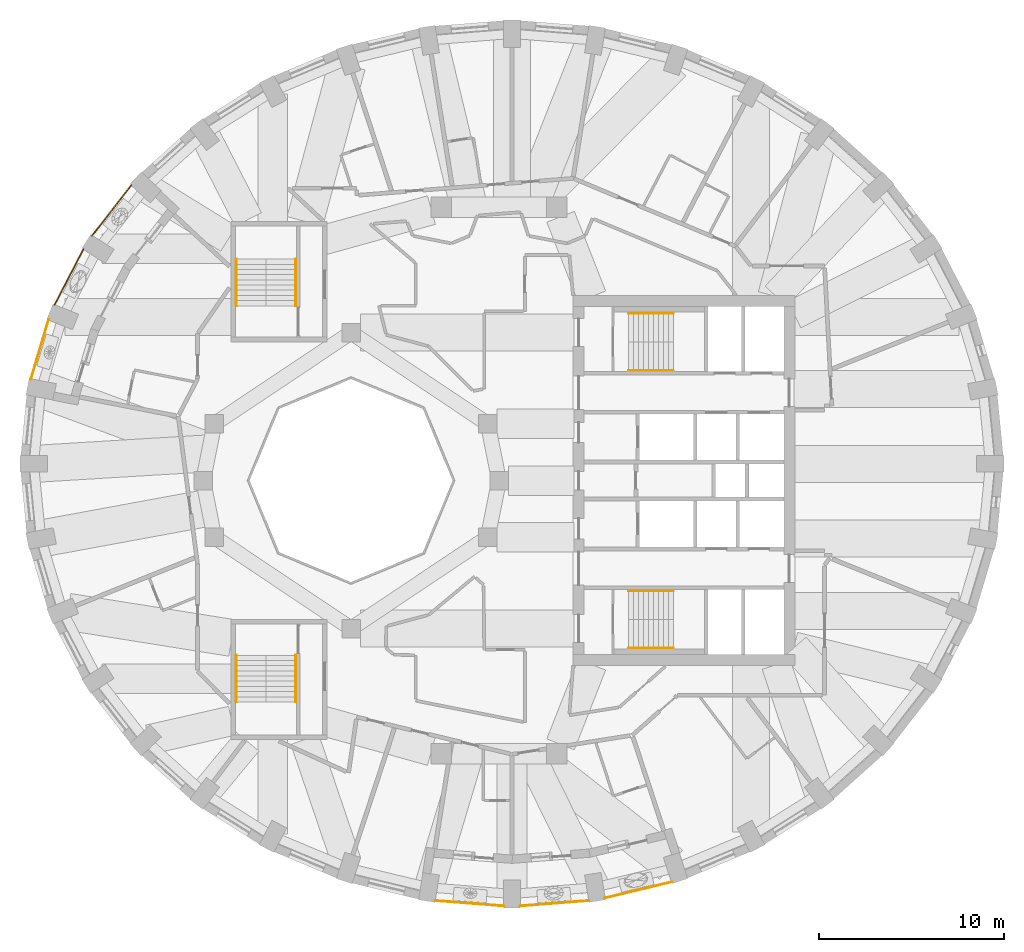
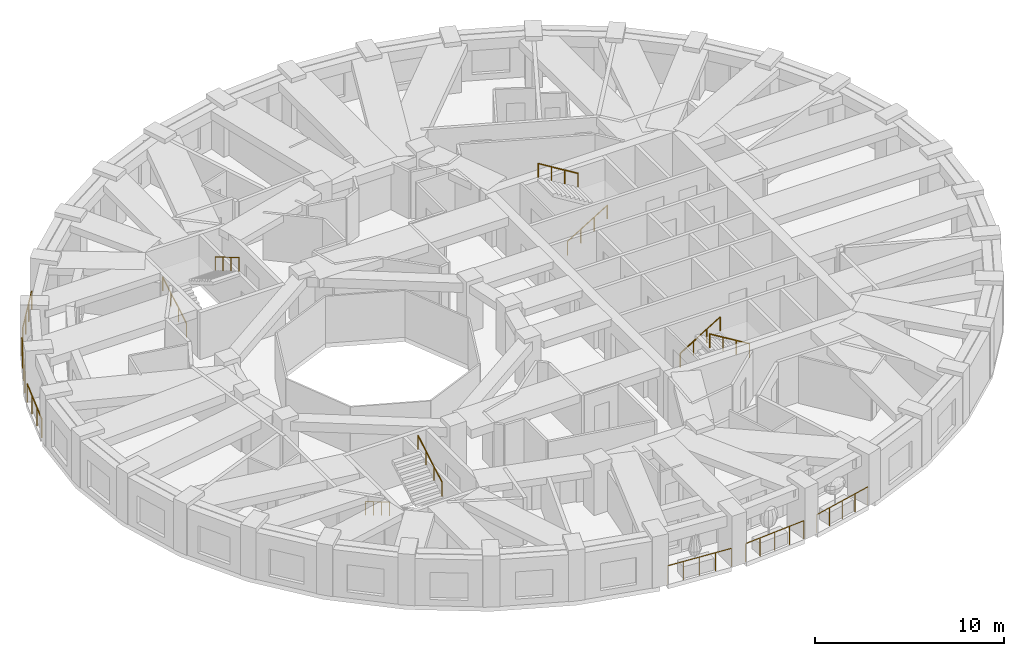
# One storey, part 10 of 12: 14 railings.
"""IFC4 building model written with IfcOpenShell, lengths in metres."""

from ifc_helpers import new_model, si_unit, direction, frame, origin, origin_2d, place, context, subcontext, project, spatial, circle, extrude, material, type_object, element, save


model = new_model("IFC4")

# Units and contexts
model_context = context("Model", 3, precision=1e-05, world=origin(), true_north=direction((0.0, 1.0)))
body_context = subcontext(model_context, "Body", "Model", "MODEL_VIEW")
ifc_project = project(units=[si_unit("LENGTHUNIT", "METRE"), si_unit("AREAUNIT", "SQUARE_METRE"), si_unit("VOLUMEUNIT", "CUBIC_METRE"), si_unit("PLANEANGLEUNIT", "RADIAN"), si_unit("MASSUNIT", "GRAM", prefix="KILO")], contexts=[model_context])

# Site, building, storey
site_placement = place(None, origin())
site = spatial("IfcSite", under=ifc_project, at=site_placement, CompositionType="ELEMENT")
building_placement = place(site_placement, origin())
building = spatial("IfcBuilding", under=site, at=building_placement, Name="Taillehof Tower", CompositionType="ELEMENT")
storey_placement = place(building_placement, frame((0.0, 0.0, 205.699951171875)))
storey = spatial("IfcBuildingStorey", under=building, at=storey_placement, Name="L58", CompositionType="ELEMENT", Elevation=205.699951171875)

# Railings
ifc_material_1 = material(Name="Stainless steel balustrade", Category="steel")
railing_type_1 = type_object("IfcRailingType", Name="Balcony guard 1200", PredefinedType="GUARDRAIL", material=ifc_material_1)
railing_1_placement = place(storey_placement, frame((-19.87255859375, 15.973876953125, 0.0)))
element("IfcRailing", 1, at=railing_1_placement, inside=storey, type_object=railing_type_1, Name="Balcony guard L58 bay 15", PredefinedType="GUARDRAIL", context=body_context, shape_type="SweptSolid", body=[
    extrude(circle(Radius=0.02392578125, at=origin_2d()), frame((0.0, 0.0, 1.17578125), z_axis=(-0.614233032347, -0.789124693552, 0.0), x_axis=(0.789124693552, -0.614233032347, 0.0)), (0.0, 0.0, 1.0), 3.467529296875),
    extrude(circle(Radius=0.02099609375, at=origin_2d()), origin(), (0.0, 0.0, 1.0), 1.15185546875),
    extrude(circle(Radius=0.02099609375, at=origin_2d()), frame((-0.7099609375, -0.912109375, 0.0)), (0.0, 0.0, 1.0), 1.15185546875),
    extrude(circle(Radius=0.02099609375, at=origin_2d()), frame((-1.419921875, -1.82421875, 0.0)), (0.0, 0.0, 1.0), 1.15185546875),
    extrude(circle(Radius=0.02099609375, at=origin_2d()), frame((-2.1298828125, -2.736328125, 0.0)), (0.0, 0.0, 1.0), 1.15185546875),
])
railing_2_placement = place(storey_placement, frame((-22.466552734375, 12.513427734375, 0.0)))
element("IfcRailing", 2, at=railing_2_placement, inside=storey, type_object=railing_type_1, Name="Balcony guard L58 bay 16", PredefinedType="GUARDRAIL", context=body_context, shape_type="SweptSolid", body=[
    extrude(circle(Radius=0.02392578125, at=origin_2d()), frame((0.0, 0.0, 1.17578125), z_axis=(-0.460229168419, -0.88780015349, 0.0), x_axis=(0.88780015349, -0.460229168419, 0.0)), (0.0, 0.0, 1.0), 3.4013671875),
    extrude(circle(Radius=0.02099609375, at=origin_2d()), origin(), (0.0, 0.0, 1.0), 1.15185546875),
    extrude(circle(Radius=0.02099609375, at=origin_2d()), frame((-0.521728515625, -1.006591796875, 0.0)), (0.0, 0.0, 1.0), 1.15185546875),
    extrude(circle(Radius=0.02099609375, at=origin_2d()), frame((-1.043701171875, -2.01318359375, 0.0)), (0.0, 0.0, 1.0), 1.15185546875),
    extrude(circle(Radius=0.02099609375, at=origin_2d()), frame((-1.5654296875, -3.019775390625, 0.0)), (0.0, 0.0, 1.0), 1.15185546875),
])
railing_3_placement = place(storey_placement, frame((-24.35400390625, 8.696044921875, 0.0)))
element("IfcRailing", 3, at=railing_3_placement, inside=storey, type_object=railing_type_1, Name="Balcony guard L58 bay 17", PredefinedType="GUARDRAIL", context=body_context, shape_type="SweptSolid", body=[
    extrude(circle(Radius=0.02392578125, at=origin_2d()), frame((0.0, 0.0, 1.17578125), z_axis=(-0.28544954127, -0.958393739227, 0.0), x_axis=(0.958393739227, -0.28544954127, 0.0)), (0.0, 0.0, 1.0), 3.351806640625),
    extrude(circle(Radius=0.02099609375, at=origin_2d()), origin(), (0.0, 0.0, 1.0), 1.15185546875),
    extrude(circle(Radius=0.02099609375, at=origin_2d()), frame((-0.31884765625, -1.07080078125, 0.0)), (0.0, 0.0, 1.0), 1.15185546875),
    extrude(circle(Radius=0.02099609375, at=origin_2d()), frame((-0.637939453125, -2.1416015625, 0.0)), (0.0, 0.0, 1.0), 1.15185546875),
    extrude(circle(Radius=0.02099609375, at=origin_2d()), frame((-0.956787109375, -3.21240234375, 0.0)), (0.0, 0.0, 1.0), 1.15185546875),
])
railing_4_placement = place(storey_placement, frame((-3.467041015625, -22.7119140625, 0.0)))
element("IfcRailing", 4, at=railing_4_placement, inside=storey, type_object=railing_type_1, Name="Balcony guard L58 bay 27", PredefinedType="GUARDRAIL", context=body_context, shape_type="SweptSolid", body=[
    extrude(circle(Radius=0.02392578125, at=origin_2d()), frame((0.0, 0.0, 1.17578125), z_axis=(0.996920832567, -0.078414626146, 0.0), x_axis=(0.078414626146, 0.996920832567, 0.0)), (0.0, 0.0, 1.0), 3.74853515625),
    extrude(circle(Radius=0.02099609375, at=origin_2d()), origin(), (0.0, 0.0, 1.0), 1.15185546875),
    extrude(circle(Radius=0.02099609375, at=origin_2d()), frame((0.934326171875, -0.073486328125, 0.0)), (0.0, 0.0, 1.0), 1.15185546875),
    extrude(circle(Radius=0.02099609375, at=origin_2d()), frame((1.86865234375, -0.14697265625, 0.0)), (0.0, 0.0, 1.0), 1.15185546875),
    extrude(circle(Radius=0.02099609375, at=origin_2d()), frame((2.802734375, -0.220458984375, 0.0)), (0.0, 0.0, 1.0), 1.15185546875),
    extrude(circle(Radius=0.02099609375, at=origin_2d()), frame((3.737060546875, -0.2939453125, 0.0)), (0.0, 0.0, 1.0), 1.15185546875),
])
railing_5_placement = place(storey_placement, frame((1.130126953125, -23.005859375, 0.0)))
element("IfcRailing", 5, at=railing_5_placement, inside=storey, type_object=railing_type_1, Name="Balcony guard L58 bay 28", PredefinedType="GUARDRAIL", context=body_context, shape_type="SweptSolid", body=[
    extrude(circle(Radius=0.02392578125, at=origin_2d()), frame((0.0, 0.0, 1.17578125), z_axis=(0.996920832567, 0.078414626146, 0.0), x_axis=(-0.078414626146, 0.996920832567, 0.0)), (0.0, 0.0, 1.0), 3.74853515625),
    extrude(circle(Radius=0.02099609375, at=origin_2d()), origin(), (0.0, 0.0, 1.0), 1.15185546875),
    extrude(circle(Radius=0.02099609375, at=origin_2d()), frame((0.934326171875, 0.073486328125, 0.0)), (0.0, 0.0, 1.0), 1.15185546875),
    extrude(circle(Radius=0.02099609375, at=origin_2d()), frame((1.86865234375, 0.14697265625, 0.0)), (0.0, 0.0, 1.0), 1.15185546875),
    extrude(circle(Radius=0.02099609375, at=origin_2d()), frame((2.802734375, 0.220458984375, 0.0)), (0.0, 0.0, 1.0), 1.15185546875),
    extrude(circle(Radius=0.02099609375, at=origin_2d()), frame((3.737060546875, 0.2939453125, 0.0)), (0.0, 0.0, 1.0), 1.15185546875),
])
railing_6_placement = place(storey_placement, frame((5.716552734375, -22.576904296875, 0.0)))
element("IfcRailing", 6, at=railing_6_placement, inside=storey, type_object=railing_type_1, Name="Balcony guard L58 bay 29", PredefinedType="GUARDRAIL", context=body_context, shape_type="SweptSolid", body=[
    extrude(circle(Radius=0.02392578125, at=origin_2d()), frame((0.0, 0.0, 1.17578125), z_axis=(0.972163104093, 0.234305140875, 0.0), x_axis=(-0.234305140875, 0.972163104093, 0.0)), (0.0, 0.0, 1.0), 3.72412109375),
    extrude(circle(Radius=0.02099609375, at=origin_2d()), origin(), (0.0, 0.0, 1.0), 1.15185546875),
    extrude(circle(Radius=0.02099609375, at=origin_2d()), frame((0.905029296875, 0.21826171875, 0.0)), (0.0, 0.0, 1.0), 1.15185546875),
    extrude(circle(Radius=0.02099609375, at=origin_2d()), frame((1.81005859375, 0.436279296875, 0.0)), (0.0, 0.0, 1.0), 1.15185546875),
    extrude(circle(Radius=0.02099609375, at=origin_2d()), frame((2.71533203125, 0.654296875, 0.0)), (0.0, 0.0, 1.0), 1.15185546875),
    extrude(circle(Radius=0.02099609375, at=origin_2d()), frame((3.620361328125, 0.87255859375, 0.0)), (0.0, 0.0, 1.0), 1.15185546875),
])
ifc_material_2 = material(Name="Stainless steel", Category="steel")
railing_type_2 = type_object("IfcRailingType", Name="Stair handrail 900", PredefinedType="HANDRAIL", material=ifc_material_2)
railing_7_placement = place(storey_placement, frame((7.0, 5.949951171875, 0.1650390625)))
element("IfcRailing", 7, at=railing_7_placement, inside=storey, type_object=railing_type_2, Name="Stair S1 handrail", PredefinedType="HANDRAIL", context=body_context, shape_type="SweptSolid", body=[
    extrude(circle(Radius=0.02392578125, at=origin_2d()), frame((0.0, 0.0, 0.8759765625), z_axis=(0.853258522278, 0.0, 0.521488153423), x_axis=(0.0, 1.0, 0.0)), (0.0, 0.0, 1.0), 2.847900390625),
    extrude(circle(Radius=0.02099609375, at=origin_2d()), origin(), (0.0, 0.0, 1.0), 0.851806640625),
    extrude(circle(Radius=0.02099609375, at=origin_2d()), frame((0.81005859375, 0.0, 0.4951171875)), (0.0, 0.0, 1.0), 0.851806640625),
    extrude(circle(Radius=0.02099609375, at=origin_2d()), frame((1.619873046875, 0.0, 0.989990234375)), (0.0, 0.0, 1.0), 0.851806640625),
    extrude(circle(Radius=0.02099609375, at=origin_2d()), frame((2.429931640625, 0.0, 1.485107421875)), (0.0, 0.0, 1.0), 0.851806640625),
])
railing_8_placement = place(storey_placement, frame((9.429931640625, 9.050048828125, 1.81494140625)))
element("IfcRailing", 8, at=railing_8_placement, inside=storey, type_object=railing_type_2, Name="Stair S1 handrail", PredefinedType="HANDRAIL", context=body_context, shape_type="SweptSolid", body=[
    extrude(circle(Radius=0.02392578125, at=origin_2d()), frame((0.0, 0.0, 0.8759765625), z_axis=(-0.853258522278, 0.0, 0.521488153423), x_axis=(0.0, -1.0, 0.0)), (0.0, 0.0, 1.0), 2.847900390625),
    extrude(circle(Radius=0.02099609375, at=origin_2d()), origin(), (0.0, 0.0, 1.0), 0.851806640625),
    extrude(circle(Radius=0.02099609375, at=origin_2d()), frame((-0.81005859375, 0.0, 0.4951171875)), (0.0, 0.0, 1.0), 0.851806640625),
    extrude(circle(Radius=0.02099609375, at=origin_2d()), frame((-1.619873046875, 0.0, 0.989990234375)), (0.0, 0.0, 1.0), 0.851806640625),
    extrude(circle(Radius=0.02099609375, at=origin_2d()), frame((-2.429931640625, 0.0, 1.485107421875)), (0.0, 0.0, 1.0), 0.851806640625),
])
railing_9_placement = place(storey_placement, frame((7.0, -5.949951171875, 0.1650390625)))
element("IfcRailing", 9, at=railing_9_placement, inside=storey, type_object=railing_type_2, Name="Stair S2 handrail", PredefinedType="HANDRAIL", context=body_context, shape_type="SweptSolid", body=[
    extrude(circle(Radius=0.02392578125, at=origin_2d()), frame((0.0, 0.0, 0.8759765625), z_axis=(0.853258522278, 0.0, 0.521488153423), x_axis=(0.0, 1.0, 0.0)), (0.0, 0.0, 1.0), 2.847900390625),
    extrude(circle(Radius=0.02099609375, at=origin_2d()), origin(), (0.0, 0.0, 1.0), 0.851806640625),
    extrude(circle(Radius=0.02099609375, at=origin_2d()), frame((0.81005859375, 0.0, 0.4951171875)), (0.0, 0.0, 1.0), 0.851806640625),
    extrude(circle(Radius=0.02099609375, at=origin_2d()), frame((1.619873046875, 0.0, 0.989990234375)), (0.0, 0.0, 1.0), 0.851806640625),
    extrude(circle(Radius=0.02099609375, at=origin_2d()), frame((2.429931640625, 0.0, 1.485107421875)), (0.0, 0.0, 1.0), 0.851806640625),
])
railing_10_placement = place(storey_placement, frame((9.429931640625, -9.050048828125, 1.81494140625)))
element("IfcRailing", 10, at=railing_10_placement, inside=storey, type_object=railing_type_2, Name="Stair S2 handrail", PredefinedType="HANDRAIL", context=body_context, shape_type="SweptSolid", body=[
    extrude(circle(Radius=0.02392578125, at=origin_2d()), frame((0.0, 0.0, 0.8759765625), z_axis=(-0.853258522278, 0.0, 0.521488153423), x_axis=(0.0, -1.0, 0.0)), (0.0, 0.0, 1.0), 2.847900390625),
    extrude(circle(Radius=0.02099609375, at=origin_2d()), origin(), (0.0, 0.0, 1.0), 0.851806640625),
    extrude(circle(Radius=0.02099609375, at=origin_2d()), frame((-0.81005859375, 0.0, 0.4951171875)), (0.0, 0.0, 1.0), 0.851806640625),
    extrude(circle(Radius=0.02099609375, at=origin_2d()), frame((-1.619873046875, 0.0, 0.989990234375)), (0.0, 0.0, 1.0), 0.851806640625),
    extrude(circle(Radius=0.02099609375, at=origin_2d()), frame((-2.429931640625, 0.0, 1.485107421875)), (0.0, 0.0, 1.0), 0.851806640625),
])
railing_11_placement = place(storey_placement, frame((-14.199951171875, 9.449951171875, 0.1650390625)))
element("IfcRailing", 11, at=railing_11_placement, inside=storey, type_object=railing_type_2, Name="Stair S3 handrail", PredefinedType="HANDRAIL", context=body_context, shape_type="SweptSolid", body=[
    extrude(circle(Radius=0.02392578125, at=origin_2d()), frame((0.0, 0.0, 0.8759765625), z_axis=(0.0, 0.86152411907, 0.507716645641), x_axis=(-1.0, 0.0, 0.0)), (0.0, 0.0, 1.0), 2.925048828125),
    extrude(circle(Radius=0.02099609375, at=origin_2d()), origin(), (0.0, 0.0, 1.0), 0.851806640625),
    extrude(circle(Radius=0.02099609375, at=origin_2d()), frame((0.0, 0.840087890625, 0.4951171875)), (0.0, 0.0, 1.0), 0.851806640625),
    extrude(circle(Radius=0.02099609375, at=origin_2d()), frame((0.0, 1.679931640625, 0.989990234375)), (0.0, 0.0, 1.0), 0.851806640625),
    extrude(circle(Radius=0.02099609375, at=origin_2d()), frame((0.0, 2.52001953125, 1.485107421875)), (0.0, 0.0, 1.0), 0.851806640625),
])
for number, where, name in (
    (12, (-11.0, 11.969970703125, 1.81494140625), "Stair S3 handrail"),
    (13, (-14.199951171875, -9.449951171875, 0.1650390625), "Stair S4 handrail"),
):
    element("IfcRailing", number, at=place(storey_placement, frame(where)), inside=storey, type_object=railing_type_2, Name=name, PredefinedType="HANDRAIL", context=body_context, shape_type="SweptSolid", body=[
        extrude(circle(Radius=0.02392578125, at=origin_2d()), frame((0.0, 0.0, 0.8759765625), z_axis=(0.0, -0.86152411907, 0.507716645641), x_axis=(1.0, 0.0, 0.0)), (0.0, 0.0, 1.0), 2.925048828125),
        extrude(circle(Radius=0.02099609375, at=origin_2d()), origin(), (0.0, 0.0, 1.0), 0.851806640625),
        extrude(circle(Radius=0.02099609375, at=origin_2d()), frame((0.0, -0.840087890625, 0.4951171875)), (0.0, 0.0, 1.0), 0.851806640625),
        extrude(circle(Radius=0.02099609375, at=origin_2d()), frame((0.0, -1.679931640625, 0.989990234375)), (0.0, 0.0, 1.0), 0.851806640625),
        extrude(circle(Radius=0.02099609375, at=origin_2d()), frame((0.0, -2.52001953125, 1.485107421875)), (0.0, 0.0, 1.0), 0.851806640625),
    ])
railing_12_placement = place(storey_placement, frame((-11.0, -11.969970703125, 1.81494140625)))
element("IfcRailing", 14, at=railing_12_placement, inside=storey, type_object=railing_type_2, Name="Stair S4 handrail", PredefinedType="HANDRAIL", context=body_context, shape_type="SweptSolid", body=[
    extrude(circle(Radius=0.02392578125, at=origin_2d()), frame((0.0, 0.0, 0.8759765625), z_axis=(0.0, 0.86152411907, 0.507716645641), x_axis=(-1.0, 0.0, 0.0)), (0.0, 0.0, 1.0), 2.925048828125),
    extrude(circle(Radius=0.02099609375, at=origin_2d()), origin(), (0.0, 0.0, 1.0), 0.851806640625),
    extrude(circle(Radius=0.02099609375, at=origin_2d()), frame((0.0, 0.840087890625, 0.4951171875)), (0.0, 0.0, 1.0), 0.851806640625),
    extrude(circle(Radius=0.02099609375, at=origin_2d()), frame((0.0, 1.679931640625, 0.989990234375)), (0.0, 0.0, 1.0), 0.851806640625),
    extrude(circle(Radius=0.02099609375, at=origin_2d()), frame((0.0, 2.52001953125, 1.485107421875)), (0.0, 0.0, 1.0), 0.851806640625),
])

save(model, "model.ifc")
